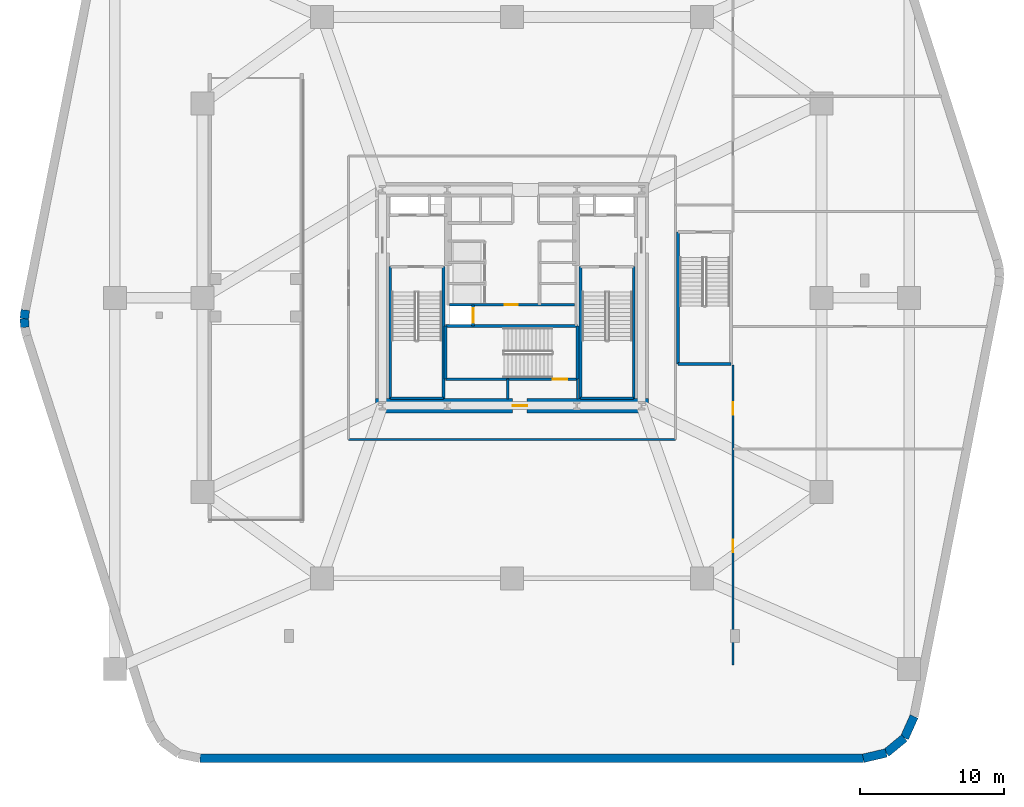
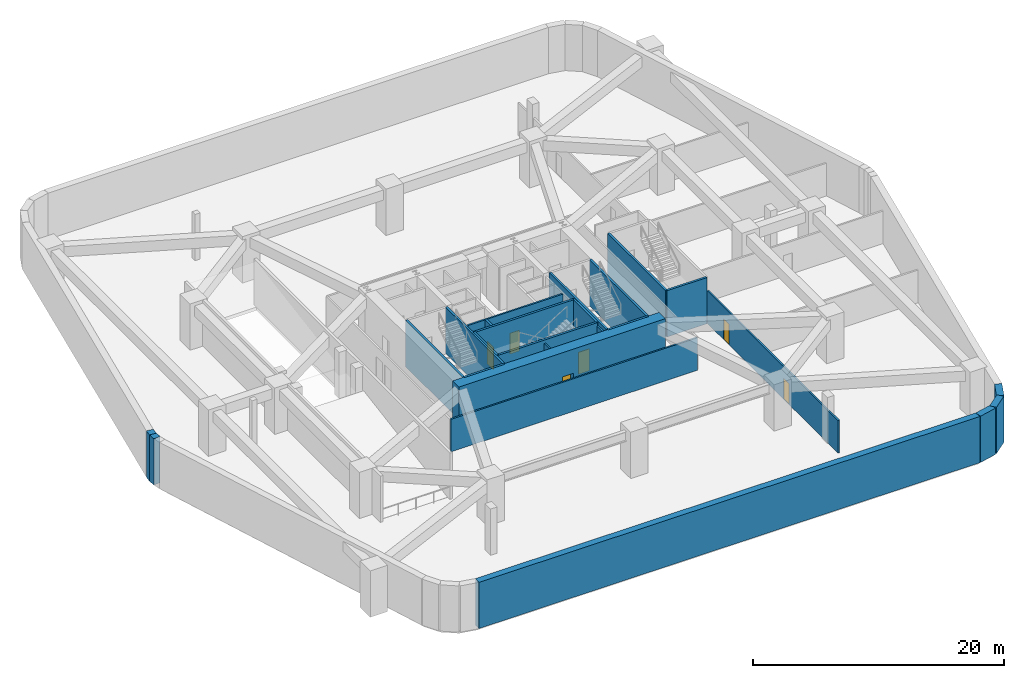
# One storey, part 2 of 9: 25 walls, 6 doors, 6 openings.
"""IFC4 building model written with IfcOpenShell, lengths in metres."""

import ifcopenshell
import ifcopenshell.guid

model = None  # the IFC model being written
_history = None  # IfcOwnerHistory: only IFC2X3 demands one
_inside = {}  # id of a spatial element -> (the spatial element, [elements in it])
_under = {}  # id of a project, library or spatial element -> (it, [spatial elements below it])
_declared = {}  # id of a project -> (the project, [libraries it declares])
_typed = {}  # id of a type object -> (the type object, [elements of that type])
_made_of = {}  # id of a material, layer set ... -> (it, [elements and type objects made of it])


def new_model(schema):
    """Start an empty IFC model of exactly this schema.

    Asked for "IFC4X3", IfcOpenShell would pick the latest addendum, in which some entities
    have other attributes; the version numbers below select the first issue.
    IFC2X3 requires an IfcOwnerHistory on every rooted entity: one is made here for all.
    """
    global model, _history
    if schema == "IFC4X3":
        model = ifcopenshell.file(schema_version=(4, 3, 0, 0))
    else:
        model = ifcopenshell.file(schema=schema)
    _inside.clear()
    _under.clear()
    _declared.clear()
    _typed.clear()
    _made_of.clear()
    _history = None
    if model.schema == "IFC2X3":
        org = make("IfcOrganization", Name="unknown")
        user = make(
            "IfcPersonAndOrganization",
            ThePerson=make("IfcPerson", FamilyName="unknown"),
            TheOrganization=org,
        )
        app = make(
            "IfcApplication",
            ApplicationDeveloper=org,
            Version="unknown",
            ApplicationFullName="unknown",
            ApplicationIdentifier="unknown",
        )
        _history = make(
            "IfcOwnerHistory",
            OwningUser=user,
            OwningApplication=app,
            ChangeAction="ADDED",
            CreationDate=0,
        )
    return model


def make(cls, **values):
    """One entity of the class cls with the attributes given. An attribute that is None is left unset."""
    return model.create_entity(
        cls, **{name: value for name, value in values.items() if value is not None}
    )


def rooted(cls, **values):
    """An entity with a GlobalId (a new one), such as an element, a storey or a relation."""
    return make(cls, GlobalId=ifcopenshell.guid.new(), OwnerHistory=_history, **values)


def si_unit(unit_type, name, prefix=None):
    """IfcSIUnit, for example si_unit("LENGTHUNIT", "METRE", prefix="MILLI")."""
    return make("IfcSIUnit", UnitType=unit_type, Prefix=prefix, Name=name)


def assignment(units):
    """IfcUnitAssignment: the units of a project."""
    return None if units is None else make("IfcUnitAssignment", Units=units)


def point(xyz):
    """IfcCartesianPoint."""
    return None if xyz is None else make("IfcCartesianPoint", Coordinates=xyz)


def direction(xyz):
    """IfcDirection."""
    return None if xyz is None else make("IfcDirection", DirectionRatios=xyz)


def frame(location, z_axis=None, x_axis=None):
    """IfcAxis2Placement3D, a coordinate frame: its origin and axes. An axis left out is left unset."""
    return make(
        "IfcAxis2Placement3D",
        Location=point(location),
        Axis=direction(z_axis),
        RefDirection=direction(x_axis),
    )


def frame_2d(location, x_axis=None):
    """IfcAxis2Placement2D, a coordinate frame in the plane: its origin and x axis."""
    return make(
        "IfcAxis2Placement2D", Location=point(location), RefDirection=direction(x_axis)
    )


def origin():
    """The frame at (0, 0, 0) with its axes left unset."""
    return frame((0.0, 0.0, 0.0))


def place(relative_to, where):
    """IfcLocalPlacement: puts the frame where relative to a parent placement (None: the world)."""
    return make(
        "IfcLocalPlacement", PlacementRelTo=relative_to, RelativePlacement=where
    )


def context(
    kind, dimensions, precision=None, world=None, true_north=None, identifier=None
):
    """IfcGeometricRepresentationContext, for example the 3D "Model" context."""
    return make(
        "IfcGeometricRepresentationContext",
        ContextIdentifier=identifier,
        ContextType=kind,
        CoordinateSpaceDimension=dimensions,
        Precision=precision,
        WorldCoordinateSystem=world,
        TrueNorth=true_north,
    )


def subcontext(parent, identifier, kind, view, scale=None):
    """IfcGeometricRepresentationSubContext, for example "Body" below "Model"."""
    return make(
        "IfcGeometricRepresentationSubContext",
        ContextIdentifier=identifier,
        ContextType=kind,
        ParentContext=parent,
        TargetScale=scale,
        TargetView=view,
    )


def project(units=None, contexts=None):
    """IfcProject with its units and contexts."""
    return rooted(
        "IfcProject",
        Name="project",
        RepresentationContexts=contexts,
        UnitsInContext=assignment(units),
    )


def spatial(cls, under=None, at=None, **own):
    """A site, building, storey or space (cls), placed at a placement, below another one or the project."""
    s = rooted(cls, ObjectPlacement=at, **own)
    if under is not None:
        _under.setdefault(under.id(), (under, []))[1].append(s)
    return s


def profile(cls, at=None, kind="AREA", **sizes):
    """A parametric profile (cls). Its sizes go by their IFC names, for example OverallWidth=200.0."""
    return make(cls, ProfileType=kind, Position=at, **sizes)


def rectangle(**sizes):
    """IfcRectangleProfileDef."""
    return profile("IfcRectangleProfileDef", **sizes)


def extrude(swept, where, along, depth):
    """IfcExtrudedAreaSolid: the profile swept, set in the frame where, extruded along a direction by depth."""
    return make(
        "IfcExtrudedAreaSolid",
        SweptArea=swept,
        Position=where,
        ExtrudedDirection=direction(along),
        Depth=depth,
    )


def shape(context_of_items, identifier, shape_type, items):
    """IfcShapeRepresentation: the items that make up one representation, for example the "Body"."""
    return make(
        "IfcShapeRepresentation",
        ContextOfItems=context_of_items,
        RepresentationIdentifier=identifier,
        RepresentationType=shape_type,
        Items=items,
    )


def material(Name=None, Category=None):
    """IfcMaterial."""
    return make("IfcMaterial", Name=Name, Category=Category)


def layer(
    of_material, thickness, ventilated=None, Name=None, Category=None, Priority=None
):
    """IfcMaterialLayer: one layer of a wall or slab, of a material (None: an air gap)."""
    return make(
        "IfcMaterialLayer",
        Material=of_material,
        LayerThickness=thickness,
        IsVentilated=ventilated,
        Name=Name,
        Category=Category,
        Priority=Priority,
    )


def layer_set(layers, Name=None):
    """IfcMaterialLayerSet."""
    return make("IfcMaterialLayerSet", MaterialLayers=layers, LayerSetName=Name)


def made_of(thing, what):
    """Note that an element or type object is made of a material, layer set ...; save() writes the relation."""
    if what is not None:
        _made_of.setdefault(what.id(), (what, []))[1].append(thing)
    return thing


def type_object(cls, material=None, **own):
    """A type object (cls), such as IfcWallType, which elements share."""
    return made_of(rooted(cls, **own), material)


def element(
    cls,
    number,
    at=None,
    inside=None,
    cuts=None,
    type_object=None,
    material=None,
    context=None,
    identifier="Body",
    shape_type=None,
    held_by="IfcProductDefinitionShape",
    body=None,
    shapes=None,
    **own,
):
    """One element of the class cls, such as IfcWall. Its Tag is "e" and its number.

    at: its placement. inside: the storey or other place that contains it. cuts: it is an
    opening in that element (IfcRelVoidsElement). A single representation is given by context,
    identifier, shape_type and body (its items); several are given by shapes. held_by: the class
    of the entity that holds the representations. save() writes the other relations.
    """
    e = rooted(cls, Tag="e%d" % number, ObjectPlacement=at, **own)
    if body is not None:
        shapes = [shape(context, identifier, shape_type, body)]
    if shapes is not None:
        e.Representation = make(held_by, Representations=shapes)
    if inside is not None:
        _inside.setdefault(inside.id(), (inside, []))[1].append(e)
    if cuts is not None:
        rooted(
            "IfcRelVoidsElement", RelatingBuildingElement=cuts, RelatedOpeningElement=e
        )
    if type_object is not None:
        _typed.setdefault(type_object.id(), (type_object, []))[1].append(e)
    return made_of(e, material)


def fill(opening, filler):
    """IfcRelFillsElement: the door or window that sits in an opening."""
    return rooted(
        "IfcRelFillsElement",
        RelatingOpeningElement=opening,
        RelatedBuildingElement=filler,
    )


def aggregate(whole, parts):
    """IfcRelAggregates: a whole, such as a stair, and the parts it consists of."""
    return rooted("IfcRelAggregates", RelatingObject=whole, RelatedObjects=parts)


def save(model, path):
    """Write the relations noted so far, then the file.

    IfcRelAggregates (storeys below a building ...), IfcRelContainedInSpatialStructure (elements
    in a storey), IfcRelDefinesByType, IfcRelAssociatesMaterial and IfcRelDeclares: one each for
    every whole, place, type object, material and project.
    """
    for whole, parts in _under.values():
        aggregate(whole, parts)
    for where, things in _inside.values():
        rooted(
            "IfcRelContainedInSpatialStructure",
            RelatedElements=things,
            RelatingStructure=where,
        )
    for kind, things in _typed.values():
        rooted("IfcRelDefinesByType", RelatedObjects=things, RelatingType=kind)
    for what, things in _made_of.values():
        rooted("IfcRelAssociatesMaterial", RelatedObjects=things, RelatingMaterial=what)
    for by, libraries in _declared.values():
        rooted("IfcRelDeclares", RelatingContext=by, RelatedDefinitions=libraries)
    model.write(path)


model = new_model("IFC4")

# Units and contexts
model_context = context("Model", 3, precision=1e-05, world=origin(), true_north=direction((0.0, 1.0)))
body_context = subcontext(model_context, "Body", "Model", "MODEL_VIEW")
ifc_project = project(units=[si_unit("LENGTHUNIT", "METRE"), si_unit("AREAUNIT", "SQUARE_METRE"), si_unit("VOLUMEUNIT", "CUBIC_METRE"), si_unit("PLANEANGLEUNIT", "RADIAN"), si_unit("MASSUNIT", "GRAM", prefix="KILO")], contexts=[model_context])

# Site, building, storey
site_placement = place(None, origin())
site = spatial("IfcSite", under=ifc_project, at=site_placement, CompositionType="ELEMENT")
building_placement = place(site_placement, origin())
building = spatial("IfcBuilding", under=site, at=building_placement, Name="Kilnhurst Terrace Hotel", CompositionType="ELEMENT")
storey_placement = place(building_placement, frame((0.0, 0.0, -4.5)))
storey = spatial("IfcBuildingStorey", under=building, at=storey_placement, Name="B1", CompositionType="ELEMENT", Elevation=-4.5)

# Wall
ifc_material_1 = material(Name="Acoustic Double-Gypsum Corridor Partition Assembly")
ifc_layer_1 = layer(ifc_material_1, 0.14990234375, Name="Acoustic Double-Gypsum Corridor Partition Assembly")
ifc_layer_set_1 = layer_set([ifc_layer_1], Name="Acoustic Double-Gypsum Corridor Partition Assembly")
wall_type_1 = type_object("IfcWallType", Name="WL-COR-150", PredefinedType="PARTITIONING", material=ifc_layer_set_1)
wall_1_placement = place(storey_placement, frame((11.35009765625, -9.85009765625, 0.0), z_axis=(0.0, 0.0, 1.0), x_axis=(-1.0, 0.0, 0.0)))
element("IfcWall", 1, at=wall_1_placement, inside=storey, type_object=wall_type_1, Name="B1 Interior Wall WL-B1-COR-04", PredefinedType="PARTITIONING", context=body_context, shape_type="SweptSolid", body=[
    extrude(rectangle(XDim=22.7001953125, YDim=0.14990234375, at=frame_2d((11.35009765625, 0.0))), origin(), (0.0, 0.0, 1.0), 3.169921875),
])

# Wall, openings, doors
wall_2_placement = place(storey_placement, frame((15.35009765625, -25.5, 0.0), z_axis=(0.0, 0.0, 1.0), x_axis=(0.0, 1.0, 0.0)))
wall_2 = element("IfcWall", 2, at=wall_2_placement, inside=storey, type_object=wall_type_1, Name="B1 Interior Wall WL-B1-EWING-S", PredefinedType="PARTITIONING", context=body_context, shape_type="SweptSolid", body=[
    extrude(rectangle(XDim=20.840087890625, YDim=0.14990234375, at=frame_2d((10.419921875, 0.0))), origin(), (0.0, 0.0, 1.0), 3.169921875),
])
opening_1_placement = place(wall_2_placement, frame((7.824951171875, 0.0, 0.0)))
opening_1 = element("IfcOpeningElement", 3, at=opening_1_placement, cuts=wall_2, Name="Opening D-60D", PredefinedType="OPENING", context=body_context, shape_type="SweptSolid", body=[
    extrude(rectangle(XDim=0.85009765625, YDim=2.030029296875, at=frame_2d((0.425048828125, 1.01513671875))), frame((0.0, 0.0849609375, 0.0), z_axis=(0.0, -1.0, 0.0), x_axis=(1.0, 0.0, 0.0)), (0.0, 0.0, 1.0), 0.169921875),
])
opening_2_placement = place(wall_2_placement, frame((17.375, 0.0, 0.0)))
opening_2 = element("IfcOpeningElement", 4, at=opening_2_placement, cuts=wall_2, Name="Opening D-60D", PredefinedType="OPENING", context=body_context, shape_type="SweptSolid", body=[
    extrude(rectangle(XDim=0.85009765625, YDim=2.030029296875, at=frame_2d((0.425048828125, 1.01513671875))), frame((0.0, 0.0849609375, 0.0), z_axis=(0.0, -1.0, 0.0), x_axis=(1.0, 0.0, 0.0)), (0.0, 0.0, 1.0), 0.169921875),
])
ifc_material_2 = material(Name="Painted Hollow Metal Steel ASTM A36 Riser Door", Category="steel")
door_type_1 = type_object("IfcDoorType", Name="DR-FD60-850", OperationType="NOTDEFINED", PredefinedType="DOOR", material=ifc_material_2)
door_1_placement = place(opening_1_placement, origin())
door_1 = element("IfcDoor", 5, at=door_1_placement, inside=storey, type_object=door_type_1, Name="B1 Basement Bicycle Storage Room Door", OperationType="SINGLE_SWING_LEFT", OverallHeight=2.030029296875, OverallWidth=0.85009765625, PredefinedType="DOOR", context=body_context, shape_type="SweptSolid", body=[
    extrude(rectangle(XDim=0.85009765625, YDim=2.030029296875, at=frame_2d((0.425048828125, 1.01513671875))), frame((0.0, 0.02490234375, 0.0), z_axis=(0.0, -1.0, 0.0), x_axis=(1.0, 0.0, 0.0)), (0.0, 0.0, 1.0), 0.050048828125),
])
fill(opening_1, door_1)
door_2_placement = place(opening_2_placement, origin())
door_2 = element("IfcDoor", 6, at=door_2_placement, inside=storey, type_object=door_type_1, Name="B1 Valet Baggage and Housekeeping Bulk Store Door", OperationType="SINGLE_SWING_RIGHT", OverallHeight=2.030029296875, OverallWidth=0.85009765625, PredefinedType="DOOR", context=body_context, shape_type="SweptSolid", body=[
    extrude(rectangle(XDim=0.85009765625, YDim=2.030029296875, at=frame_2d((0.425048828125, 1.01513671875))), frame((0.0, 0.02490234375, 0.0), z_axis=(0.0, -1.0, 0.0), x_axis=(1.0, 0.0, 0.0)), (0.0, 0.0, 1.0), 0.050048828125),
])
fill(opening_2, door_2)

# Wall, opening, door
ifc_material_3 = material(Name="Concrete C80/95", Category="concrete")
ifc_layer_2 = layer(ifc_material_3, 1.0, Name="Concrete C80/95")
ifc_layer_set_2 = layer_set([ifc_layer_2], Name="Concrete C80/95")
wall_type_2 = type_object("IfcWallType", Name="WL-CORE-1000", PredefinedType="SHEAR", material=ifc_layer_set_2)
wall_3_placement = place(storey_placement, frame((-9.5, -7.5, 0.0), z_axis=(0.0, 0.0, 1.0), x_axis=(1.0, 0.0, 0.0)))
wall_3 = element("IfcWall", 7, at=wall_3_placement, inside=storey, type_object=wall_type_2, Name="B1 Core South Shear Wall", PredefinedType="SHEAR", context=body_context, shape_type="SweptSolid", body=[
    extrude(rectangle(XDim=19.0, YDim=1.0, at=frame_2d((9.5, 0.0))), origin(), (0.0, 0.0, 1.0), 4.5),
])
opening_3_placement = place(wall_3_placement, frame((9.550048828125, 0.0, 0.0)))
opening_3 = element("IfcOpeningElement", 8, at=opening_3_placement, cuts=wall_3, Name="Opening D-90B", PredefinedType="OPENING", context=body_context, shape_type="SweptSolid", body=[
    extrude(rectangle(XDim=1.0, YDim=2.14990234375, at=frame_2d((0.5, 1.074951171875))), frame((0.0, 0.510009765625, 0.0), z_axis=(0.0, -1.0, 0.0), x_axis=(1.0, 0.0, 0.0)), (0.0, 0.0, 1.0), 1.02001953125),
])
ifc_material_4 = material(Name="Painted Hollow Metal Steel ASTM A36 Fire Door", Category="steel")
door_type_2 = type_object("IfcDoorType", Name="DR-FD90-1000", OperationType="NOTDEFINED", PredefinedType="DOOR", material=ifc_material_4)
door_3_placement = place(opening_3_placement, origin())
door_3 = element("IfcDoor", 9, at=door_3_placement, inside=storey, type_object=door_type_2, Name="B1 Stair ST-3 Corridor Door", OperationType="SINGLE_SWING_RIGHT", OverallHeight=2.14990234375, OverallWidth=1.0, PredefinedType="DOOR", context=body_context, shape_type="SweptSolid", body=[
    extrude(rectangle(XDim=1.0, YDim=2.14990234375, at=frame_2d((0.5, 1.074951171875))), frame((0.0, 0.02490234375, 0.0), z_axis=(0.0, -1.0, 0.0), x_axis=(1.0, 0.0, 0.0)), (0.0, 0.0, 1.0), 0.050048828125),
])
fill(opening_3, door_3)

# Walls
ifc_material_5 = material(Name="Concrete C50/60", Category="concrete")
ifc_layer_3 = layer(ifc_material_5, 0.60009765625, Name="Concrete C50/60")
ifc_layer_set_3 = layer_set([ifc_layer_3], Name="Concrete C50/60")
wall_type_3 = type_object("IfcWallType", Name="WL-RET-600", PredefinedType="SHEAR", material=ifc_layer_set_3)
wall_4_placement = place(storey_placement, frame((-21.683349609375, -32.0, 0.0), z_axis=(0.0, 0.0, 1.0), x_axis=(1.0, 0.0, 0.0)))
element("IfcWall", 10, at=wall_4_placement, inside=storey, type_object=wall_type_3, Name="B1 Perimeter Shear Retaining Wall 4", PredefinedType="SHEAR", context=body_context, shape_type="SweptSolid", body=[
    extrude(rectangle(XDim=46.091552734375, YDim=0.60009765625, at=frame_2d((23.0458984375, 0.0))), origin(), (0.0, 0.0, 1.0), 4.5),
])
wall_5_placement = place(storey_placement, frame((24.408203125, -32.0, 0.0), z_axis=(0.0, 0.0, 1.0), x_axis=(0.973787308354, 0.227460497864, 0.0)))
element("IfcWall", 11, at=wall_5_placement, inside=storey, type_object=wall_type_3, Name="B1 Perimeter Shear Retaining Wall 5", PredefinedType="SHEAR", context=body_context, shape_type="SweptSolid", body=[
    extrude(rectangle(XDim=1.637939453125, YDim=0.60009765625, at=frame_2d((0.81884765625, 0.0))), origin(), (0.0, 0.0, 1.0), 4.5),
])
for number, where, z_axis, x_axis, name in (
    (12, (26.003173828125, -31.62744140625, 0.0), (0.0, 0.0, 1.0), (0.772214171592, 0.635362316472, 0.0), "B1 Perimeter Shear Retaining Wall 6"),
    (13, (27.267822265625, -30.5869140625, 0.0), (0.0, 0.0, 1.0), (0.410835694769, 0.911709401018, 0.0), "B1 Perimeter Shear Retaining Wall 7"),
):
    element("IfcWall", number, at=place(storey_placement, frame(where, z_axis=z_axis, x_axis=x_axis)), inside=storey, type_object=wall_type_3, Name=name, PredefinedType="SHEAR", context=body_context, shape_type="SweptSolid", body=[
        extrude(rectangle(XDim=1.6376953125, YDim=0.60009765625, at=frame_2d((0.81884765625, 0.0))), origin(), (0.0, 0.0, 1.0), 4.5),
    ])
wall_6_placement = place(storey_placement, frame((-33.8212890625, -0.850341796875, 0.0), z_axis=(0.0, 0.0, 1.0), x_axis=(-0.109899357688, -0.993942720271, 0.0)))
element("IfcWall", 14, at=wall_6_placement, inside=storey, type_object=wall_type_3, Name="B1 Perimeter Shear Retaining Wall 21", PredefinedType="SHEAR", context=body_context, shape_type="SweptSolid", body=[
    extrude(rectangle(XDim=0.604248046875, YDim=0.60009765625, at=frame_2d((0.30224609375, 0.0))), origin(), (0.0, 0.0, 1.0), 4.5),
])
wall_7_placement = place(storey_placement, frame((-33.8876953125, -1.450927734375, 0.0), z_axis=(0.0, 0.0, 1.0), x_axis=(0.058200771406, -0.998304898419, 0.0)))
element("IfcWall", 15, at=wall_7_placement, inside=storey, type_object=wall_type_3, Name="B1 Perimeter Shear Retaining Wall 22", PredefinedType="SHEAR", context=body_context, shape_type="SweptSolid", body=[
    extrude(rectangle(XDim=0.60400390625, YDim=0.60009765625, at=frame_2d((0.302001953125, 0.0))), origin(), (0.0, 0.0, 1.0), 4.5),
])
ifc_material_6 = material(Name="Fire-Rated Gypsum Shaftliner Assembly")
ifc_layer_4 = layer(ifc_material_6, 0.14990234375, Name="Fire-Rated Gypsum Shaftliner Assembly")
ifc_layer_set_4 = layer_set([ifc_layer_4], Name="Fire-Rated Gypsum Shaftliner Assembly")
wall_type_4 = type_object("IfcWallType", Name="WL-SHAFT-150", PredefinedType="PARTITIONING", material=ifc_layer_set_4)
for number, where, z_axis, x_axis, name in (
    (16, (-0.300048828125, -7.02001953125, 0.0), (0.0, 0.0, 1.0), (0.0, 1.0, 0.0), "B1 Interior Wall WL-B1-ST3-PSGW"),
    (17, (4.55810546875, -7.02001953125, 0.0), (0.0, 0.0, 1.0), (0.0, 1.0, 0.0), "B1 Interior Wall WL-B1-ST3-PSGE"),
):
    element("IfcWall", number, at=place(storey_placement, frame(where, z_axis=z_axis, x_axis=x_axis)), inside=storey, type_object=wall_type_4, Name=name, PredefinedType="PARTITIONING", context=body_context, shape_type="SweptSolid", body=[
        extrude(rectangle(XDim=1.362060546875, YDim=0.14990234375, at=frame_2d((0.68115234375, 0.0))), origin(), (0.0, 0.0, 1.0), 4.179931640625),
    ])

# Wall, opening, door
wall_8_placement = place(storey_placement, frame((-4.360107421875, -0.489990234375, 0.0), z_axis=(0.0, 0.0, 1.0), x_axis=(1.0, 0.0, 0.0)))
wall_8 = element("IfcWall", 18, at=wall_8_placement, inside=storey, type_object=wall_type_4, Name="B1 Interior Wall WL-B1-BOH-N", PredefinedType="PARTITIONING", context=body_context, shape_type="SweptSolid", body=[
    extrude(rectangle(XDim=8.72021484375, YDim=0.14990234375, at=frame_2d((4.360107421875, 0.0))), origin(), (0.0, 0.0, 1.0), 4.179931640625),
])
opening_4_placement = place(wall_8_placement, frame((3.860107421875, 0.0, 0.0)))
opening_4 = element("IfcOpeningElement", 19, at=opening_4_placement, cuts=wall_8, Name="Opening D-60C", PredefinedType="OPENING", context=body_context, shape_type="SweptSolid", body=[
    extrude(rectangle(XDim=0.89990234375, YDim=2.030029296875, at=frame_2d((0.449951171875, 1.01513671875))), frame((0.0, 0.0849609375, 0.0), z_axis=(0.0, -1.0, 0.0), x_axis=(1.0, 0.0, 0.0)), (0.0, 0.0, 1.0), 0.169921875),
])
ifc_material_7 = material(Name="Painted Solid-Core Service Fire Door")
door_type_3 = type_object("IfcDoorType", Name="DR-FD60-900", OperationType="NOTDEFINED", PredefinedType="DOOR", material=ifc_material_7)
door_4_placement = place(opening_4_placement, origin())
door_4 = element("IfcDoor", 20, at=door_4_placement, inside=storey, type_object=door_type_3, Name="B1 Housekeeping Laundry Door", OperationType="SINGLE_SWING_LEFT", OverallHeight=2.030029296875, OverallWidth=0.89990234375, PredefinedType="DOOR", context=body_context, shape_type="SweptSolid", body=[
    extrude(rectangle(XDim=0.89990234375, YDim=2.030029296875, at=frame_2d((0.449951171875, 1.01513671875))), frame((0.0, 0.02490234375, 0.0), z_axis=(0.0, -1.0, 0.0), x_axis=(1.0, 0.0, 0.0)), (0.0, 0.0, 1.0), 0.050048828125),
])
fill(opening_4, door_4)

ifc_material_8 = material(Name="Autoclaved Aerated Concrete C30/37 and Gypsum Shaft Assembly", Category="concrete")
ifc_layer_5 = layer(ifc_material_8, 0.199951171875, Name="Autoclaved Aerated Concrete C30/37 and Gypsum Shaft Assembly")
ifc_layer_set_5 = layer_set([ifc_layer_5], Name="Autoclaved Aerated Concrete C30/37 and Gypsum Shaft Assembly")
wall_type_5 = type_object("IfcWallType", Name="WL-SHAFT-200", PredefinedType="PARTITIONING", material=ifc_layer_set_5)
wall_9_placement = place(storey_placement, frame((-2.699951171875, -1.971923828125, 0.0), z_axis=(0.0, 0.0, 1.0), x_axis=(0.0, 1.0, 0.0)))
wall_9 = element("IfcWall", 21, at=wall_9_placement, inside=storey, type_object=wall_type_5, Name="B1 Interior Wall WL-B1-SRV1-E", PredefinedType="PARTITIONING", context=body_context, shape_type="SweptSolid", body=[
    extrude(rectangle(XDim=1.471923828125, YDim=0.199951171875, at=frame_2d((0.73583984375, 0.0))), origin(), (0.0, 0.0, 1.0), 4.179931640625),
])
opening_5_placement = place(wall_9_placement, frame((0.239990234375, 0.0, 0.0)))
opening_5 = element("IfcOpeningElement", 22, at=opening_5_placement, cuts=wall_9, Name="Opening LD-SV", PredefinedType="OPENING", context=body_context, shape_type="SweptSolid", body=[
    extrude(rectangle(XDim=1.0, YDim=2.199951171875, at=frame_2d((0.5, 1.10009765625))), frame((0.0, 0.10986328125, 0.0), z_axis=(0.0, -1.0, 0.0), x_axis=(1.0, 0.0, 0.0)), (0.0, 0.0, 1.0), 0.219970703125),
])
ifc_material_9 = material(Name="Bronze-Anodized Stainless Steel AISI 316L Sliding Door", Category="steel")
door_type_4 = type_object("IfcDoorType", Name="DR-LIFT-1000", OperationType="NOTDEFINED", PredefinedType="DOOR", material=ifc_material_9)
door_5_placement = place(opening_5_placement, origin())
door_5 = element("IfcDoor", 23, at=door_5_placement, inside=storey, type_object=door_type_4, Name="B1 Service Lift SRV-1 Landing Door", OperationType="SLIDING_TO_LEFT", OverallHeight=2.199951171875, OverallWidth=1.0, PredefinedType="DOOR", context=body_context, shape_type="SweptSolid", body=[
    extrude(rectangle(XDim=1.0, YDim=2.199951171875, at=frame_2d((0.5, 1.10009765625))), frame((0.0, 0.02490234375, 0.0), z_axis=(0.0, -1.0, 0.0), x_axis=(1.0, 0.0, 0.0)), (0.0, 0.0, 1.0), 0.050048828125),
])
fill(opening_5, door_5)

# Walls
ifc_layer_6 = layer(ifc_material_5, 0.199951171875, Name="Concrete C50/60")
ifc_layer_set_6 = layer_set([ifc_layer_6], Name="Concrete C50/60")
wall_type_6 = type_object("IfcWallType", Name="WL-STAIR-RC-200", PredefinedType="SHEAR", material=ifc_layer_set_6)
for number, where, z_axis, x_axis, name in (
    (24, (-8.4580078125, -6.985107421875, 0.0), (0.0, 0.0, 1.0), (0.0, 1.0, 0.0), "B1 Structural Stair Shaft Wall WL-B1-ST1-W"),
    (25, (-4.77197265625, -6.985107421875, 0.0), (0.0, 0.0, 1.0), (0.0, 1.0, 0.0), "B1 Structural Stair Shaft Wall WL-B1-ST1-E"),
):
    element("IfcWall", number, at=place(storey_placement, frame(where, z_axis=z_axis, x_axis=x_axis)), inside=storey, type_object=wall_type_6, Name=name, PredefinedType="SHEAR", context=body_context, shape_type="SweptSolid", body=[
        extrude(rectangle(XDim=9.14306640625, YDim=0.199951171875, at=frame_2d((4.571533203125, 0.0))), origin(), (0.0, 0.0, 1.0), 4.5),
    ])
wall_10_placement = place(storey_placement, frame((-8.4580078125, -6.985107421875, 0.0), z_axis=(0.0, 0.0, 1.0), x_axis=(1.0, 0.0, 0.0)))
element("IfcWall", 26, at=wall_10_placement, inside=storey, type_object=wall_type_6, Name="B1 Structural Stair Shaft Wall WL-B1-ST1-S", PredefinedType="SHEAR", context=body_context, shape_type="SweptSolid", body=[
    extrude(rectangle(XDim=3.68603515625, YDim=0.199951171875, at=frame_2d((1.843017578125, 0.0))), origin(), (0.0, 0.0, 1.0), 4.5),
])
for number, where, z_axis, x_axis, name in (
    (27, (4.77197265625, -6.985107421875, 0.0), (0.0, 0.0, 1.0), (0.0, 1.0, 0.0), "B1 Structural Stair Shaft Wall WL-B1-ST2-W"),
    (28, (8.4580078125, -6.985107421875, 0.0), (0.0, 0.0, 1.0), (0.0, 1.0, 0.0), "B1 Structural Stair Shaft Wall WL-B1-ST2-E"),
):
    element("IfcWall", number, at=place(storey_placement, frame(where, z_axis=z_axis, x_axis=x_axis)), inside=storey, type_object=wall_type_6, Name=name, PredefinedType="SHEAR", context=body_context, shape_type="SweptSolid", body=[
        extrude(rectangle(XDim=9.14306640625, YDim=0.199951171875, at=frame_2d((4.571533203125, 0.0))), origin(), (0.0, 0.0, 1.0), 4.5),
    ])
for number, where, z_axis, x_axis, name in (
    (29, (4.77197265625, -6.985107421875, 0.0), (0.0, 0.0, 1.0), (1.0, 0.0, 0.0), "B1 Structural Stair Shaft Wall WL-B1-ST2-S"),
    (30, (-4.60791015625, -5.657958984375, 0.0), (0.0, 0.0, 1.0), (0.0, 1.0, 0.0), "B1 Structural Stair Shaft Wall WL-B1-ST3-W"),
):
    element("IfcWall", number, at=place(storey_placement, frame(where, z_axis=z_axis, x_axis=x_axis)), inside=storey, type_object=wall_type_6, Name=name, PredefinedType="SHEAR", context=body_context, shape_type="SweptSolid", body=[
        extrude(rectangle(XDim=3.68603515625, YDim=0.199951171875, at=frame_2d((1.843017578125, 0.0))), origin(), (0.0, 0.0, 1.0), 4.5),
    ])

# Wall, opening, door
wall_11_placement = place(storey_placement, frame((-4.60791015625, -5.657958984375, 0.0), z_axis=(0.0, 0.0, 1.0), x_axis=(1.0, 0.0, 0.0)))
wall_11 = element("IfcWall", 31, at=wall_11_placement, inside=storey, type_object=wall_type_6, Name="B1 Structural Stair Shaft Wall WL-B1-ST3-S", PredefinedType="SHEAR", context=body_context, shape_type="SweptSolid", body=[
    extrude(rectangle(XDim=9.166015625, YDim=0.199951171875, at=frame_2d((4.5830078125, 0.0))), origin(), (0.0, 0.0, 1.0), 4.5),
])
opening_6_placement = place(wall_11_placement, frame((7.449951171875, 0.0, 0.0)))
opening_6 = element("IfcOpeningElement", 32, at=opening_6_placement, cuts=wall_11, Name="Opening D-90B", PredefinedType="OPENING", context=body_context, shape_type="SweptSolid", body=[
    extrude(rectangle(XDim=1.0, YDim=2.14990234375, at=frame_2d((0.5, 1.074951171875))), frame((0.0, 0.10986328125, 0.0), z_axis=(0.0, -1.0, 0.0), x_axis=(1.0, 0.0, 0.0)), (0.0, 0.0, 1.0), 0.219970703125),
])
door_6_placement = place(opening_6_placement, origin())
door_6 = element("IfcDoor", 33, at=door_6_placement, inside=storey, type_object=door_type_2, Name="B1 Stair ST-3 Shaft Door", OperationType="SINGLE_SWING_LEFT", OverallHeight=2.14990234375, OverallWidth=1.0, PredefinedType="DOOR", context=body_context, shape_type="SweptSolid", body=[
    extrude(rectangle(XDim=1.0, YDim=2.14990234375, at=frame_2d((0.5, 1.074951171875))), frame((0.0, 0.02490234375, 0.0), z_axis=(0.0, -1.0, 0.0), x_axis=(1.0, 0.0, 0.0)), (0.0, 0.0, 1.0), 0.050048828125),
])
fill(opening_6, door_6)

# Walls
wall_12_placement = place(storey_placement, frame((-4.60791015625, -1.971923828125, 0.0), z_axis=(0.0, 0.0, 1.0), x_axis=(1.0, 0.0, 0.0)))
element("IfcWall", 34, at=wall_12_placement, inside=storey, type_object=wall_type_6, Name="B1 Structural Stair Shaft Wall WL-B1-ST3-N", PredefinedType="SHEAR", context=body_context, shape_type="SweptSolid", body=[
    extrude(rectangle(XDim=9.166015625, YDim=0.199951171875, at=frame_2d((4.5830078125, 0.0))), origin(), (0.0, 0.0, 1.0), 4.5),
])
wall_13_placement = place(storey_placement, frame((4.55810546875, -5.657958984375, 0.0), z_axis=(0.0, 0.0, 1.0), x_axis=(0.0, 1.0, 0.0)))
element("IfcWall", 35, at=wall_13_placement, inside=storey, type_object=wall_type_6, Name="B1 Structural Stair Shaft Wall WL-B1-ST3-E", PredefinedType="SHEAR", context=body_context, shape_type="SweptSolid", body=[
    extrude(rectangle(XDim=3.68603515625, YDim=0.199951171875, at=frame_2d((1.843017578125, 0.0))), origin(), (0.0, 0.0, 1.0), 4.5),
])
wall_14_placement = place(storey_placement, frame((11.5419921875, -4.60791015625, 0.0), z_axis=(0.0, 0.0, 1.0), x_axis=(0.0, 1.0, 0.0)))
element("IfcWall", 36, at=wall_14_placement, inside=storey, type_object=wall_type_6, Name="B1 Podium Stair ST-4 Structural Shaft Wall WL-B1-ST4-W", PredefinedType="SHEAR", context=body_context, shape_type="SweptSolid", body=[
    extrude(rectangle(XDim=9.166015625, YDim=0.199951171875, at=frame_2d((4.5830078125, 0.0))), origin(), (0.0, 0.0, 1.0), 4.5),
])
wall_15_placement = place(storey_placement, frame((11.5419921875, -4.60791015625, 0.0), z_axis=(0.0, 0.0, 1.0), x_axis=(1.0, 0.0, 0.0)))
element("IfcWall", 37, at=wall_15_placement, inside=storey, type_object=wall_type_6, Name="B1 Podium Stair ST-4 Structural Shaft Wall WL-B1-ST4-S", PredefinedType="SHEAR", context=body_context, shape_type="SweptSolid", body=[
    extrude(rectangle(XDim=3.68603515625, YDim=0.199951171875, at=frame_2d((1.843017578125, 0.0))), origin(), (0.0, 0.0, 1.0), 4.5),
])

save(model, "model.ifc")
